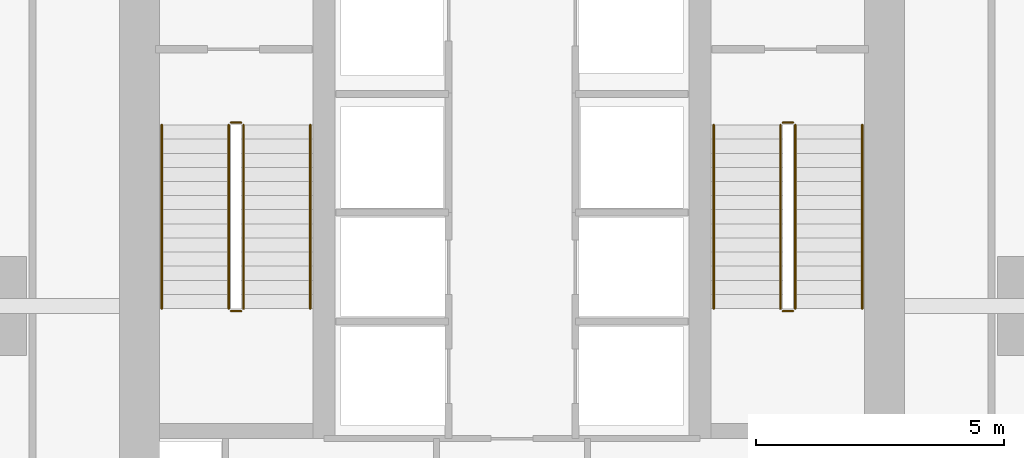
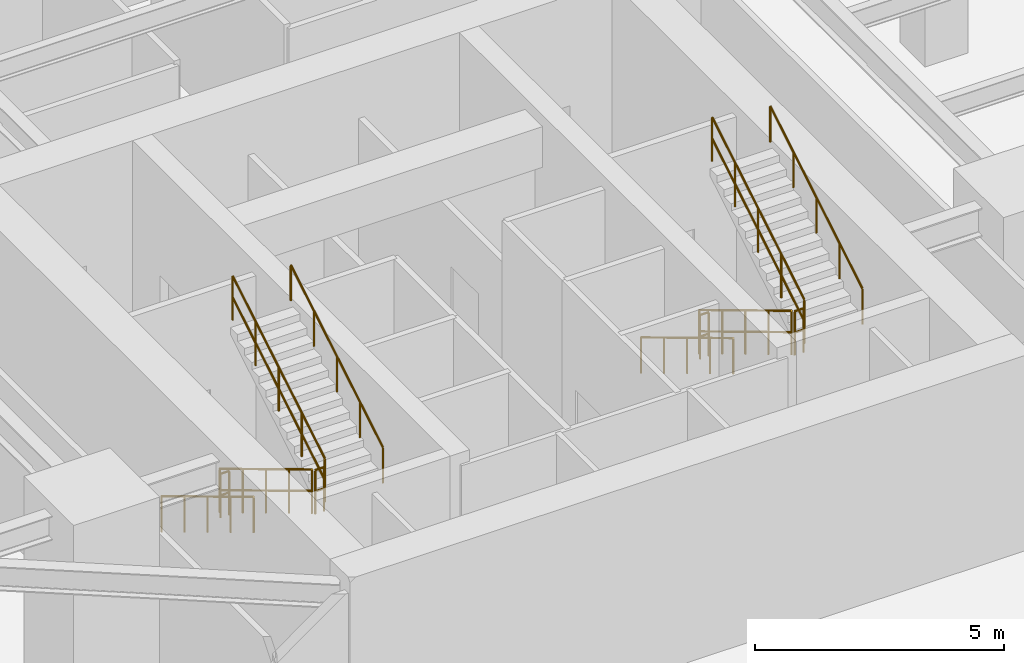
# One storey, part 23 of 24: 12 railings.
"""IFC4 building model written with IfcOpenShell, lengths in metres."""

from ifc_helpers import new_model, si_unit, direction, frame, origin, origin_2d, place, context, subcontext, project, spatial, circle, extrude, material, layer, layer_set, type_object, element, save


model = new_model("IFC4")

# Units and contexts
model_context = context("Model", 3, precision=1e-05, world=origin(), true_north=direction((0.0, 1.0)))
body_context = subcontext(model_context, "Body", "Model", "MODEL_VIEW")
ifc_project = project(units=[si_unit("LENGTHUNIT", "METRE"), si_unit("AREAUNIT", "SQUARE_METRE"), si_unit("VOLUMEUNIT", "CUBIC_METRE"), si_unit("PLANEANGLEUNIT", "RADIAN"), si_unit("MASSUNIT", "GRAM", prefix="KILO")], contexts=[model_context])

# Site, building, storey
site_placement = place(None, origin())
site = spatial("IfcSite", under=ifc_project, at=site_placement, CompositionType="ELEMENT")
building_placement = place(site_placement, origin())
building = spatial("IfcBuilding", under=site, at=building_placement, Name="Krantzveldt Concourse Tower", CompositionType="ELEMENT")
storey_placement = place(building_placement, frame((0.0, 0.0, 141.39990234375)))
storey = spatial("IfcBuildingStorey", under=building, at=storey_placement, Name="L34", CompositionType="ELEMENT", Elevation=141.39990234375)

# Railings
ifc_material = material(Name="Stainless steel 316L", Category="steel")
ifc_layer_1 = layer(ifc_material, 0.06005859375, Name="Stainless steel 316L", Category="steel")
ifc_layer_set_1 = layer_set([ifc_layer_1], Name="Stainless steel 316L (RL-GUARD-1120)")
railing_type_1 = type_object("IfcRailingType", Name="RL-GUARD-1120", PredefinedType="GUARDRAIL", material=ifc_layer_set_1)
railing_1_placement = place(storey_placement, frame((30.280029296875, 19.550048828125, 0.171630859375)))
element("IfcRailing", 1, at=railing_1_placement, inside=storey, type_object=railing_type_1, Name="L34 ST-1 stair guard 1", PredefinedType="GUARDRAIL", context=body_context, shape_type="SweptSolid", body=[
    extrude(circle(Radius=0.02392578125, at=origin_2d()), frame((0.0, 0.0, 1.076171875), z_axis=(0.0, -0.856934400257, 0.515425487977), x_axis=(1.0, 0.0, 0.0)), (0.0, 0.0, 1.0), 4.32373046875),
    extrude(circle(Radius=0.02392578125, at=origin_2d()), frame((0.0, 0.0, 0.550048828125), z_axis=(0.0, -0.856934400257, 0.515425487977), x_axis=(1.0, 0.0, 0.0)), (0.0, 0.0, 1.0), 4.32373046875),
    extrude(circle(Radius=0.02099609375, at=origin_2d()), origin(), (0.0, 0.0, 1.0), 1.052001953125),
    extrude(circle(Radius=0.02099609375, at=origin_2d()), frame((0.0, -0.92626953125, 0.55712890625)), (0.0, 0.0, 1.0), 1.052001953125),
    extrude(circle(Radius=0.02099609375, at=origin_2d()), frame((0.0, -1.8525390625, 1.1142578125)), (0.0, 0.0, 1.0), 1.052001953125),
    extrude(circle(Radius=0.02099609375, at=origin_2d()), frame((0.0, -2.77880859375, 1.67138671875)), (0.0, 0.0, 1.0), 1.052001953125),
    extrude(circle(Radius=0.02099609375, at=origin_2d()), frame((0.0, -3.705078125, 2.228515625)), (0.0, 0.0, 1.0), 1.052001953125),
])
railing_2_placement = place(storey_placement, frame((30.330078125, 15.794921875, 2.400146484375)))
element("IfcRailing", 2, at=railing_2_placement, inside=storey, type_object=railing_type_1, Name="L34 ST-1 stair guard 2", PredefinedType="GUARDRAIL", context=body_context, shape_type="SweptSolid", body=[
    extrude(circle(Radius=0.02392578125, at=origin_2d()), frame((0.0, 0.0, 1.076171875), z_axis=(1.0, 0.0, 0.0), x_axis=(0.0, 1.0, 0.0)), (0.0, 0.0, 1.0), 0.199951171875),
    extrude(circle(Radius=0.02392578125, at=origin_2d()), frame((0.0, 0.0, 0.550048828125), z_axis=(1.0, 0.0, 0.0), x_axis=(0.0, 1.0, 0.0)), (0.0, 0.0, 1.0), 0.199951171875),
    extrude(circle(Radius=0.02099609375, at=origin_2d()), origin(), (0.0, 0.0, 1.0), 1.052001953125),
    extrude(circle(Radius=0.02099609375, at=origin_2d()), frame((0.199951171875, 0.0, 0.0)), (0.0, 0.0, 1.0), 1.052001953125),
])
railing_3_placement = place(storey_placement, frame((30.580078125, 15.844970703125, 2.571533203125)))
element("IfcRailing", 3, at=railing_3_placement, inside=storey, type_object=railing_type_1, Name="L34 ST-1 stair guard 3", PredefinedType="GUARDRAIL", context=body_context, shape_type="SweptSolid", body=[
    extrude(circle(Radius=0.02392578125, at=origin_2d()), frame((0.0, 0.0, 1.076171875), z_axis=(0.0, 0.856934400257, 0.515425487977), x_axis=(-1.0, 0.0, 0.0)), (0.0, 0.0, 1.0), 4.32373046875),
    extrude(circle(Radius=0.02392578125, at=origin_2d()), frame((0.0, 0.0, 0.550048828125), z_axis=(0.0, 0.856934400257, 0.515425487977), x_axis=(-1.0, 0.0, 0.0)), (0.0, 0.0, 1.0), 4.32373046875),
    extrude(circle(Radius=0.02099609375, at=origin_2d()), origin(), (0.0, 0.0, 1.0), 1.052001953125),
    extrude(circle(Radius=0.02099609375, at=origin_2d()), frame((0.0, 0.92626953125, 0.55712890625)), (0.0, 0.0, 1.0), 1.052001953125),
    extrude(circle(Radius=0.02099609375, at=origin_2d()), frame((0.0, 1.8525390625, 1.1142578125)), (0.0, 0.0, 1.0), 1.052001953125),
    extrude(circle(Radius=0.02099609375, at=origin_2d()), frame((0.0, 2.77880859375, 1.67138671875)), (0.0, 0.0, 1.0), 1.052001953125),
    extrude(circle(Radius=0.02099609375, at=origin_2d()), frame((0.0, 3.705078125, 2.228515625)), (0.0, 0.0, 1.0), 1.052001953125),
])
railing_4_placement = place(storey_placement, frame((30.330078125, 19.60009765625, 0.0)))
element("IfcRailing", 4, at=railing_4_placement, inside=storey, type_object=railing_type_1, Name="L34 ST-1 stair guard 4", PredefinedType="GUARDRAIL", context=body_context, shape_type="SweptSolid", body=[
    extrude(circle(Radius=0.02392578125, at=origin_2d()), frame((0.0, 0.0, 1.076171875), z_axis=(1.0, 0.0, 0.0), x_axis=(0.0, 1.0, 0.0)), (0.0, 0.0, 1.0), 0.199951171875),
    extrude(circle(Radius=0.02392578125, at=origin_2d()), frame((0.0, 0.0, 0.550048828125), z_axis=(1.0, 0.0, 0.0), x_axis=(0.0, 1.0, 0.0)), (0.0, 0.0, 1.0), 0.199951171875),
    extrude(circle(Radius=0.02099609375, at=origin_2d()), origin(), (0.0, 0.0, 1.0), 1.052001953125),
    extrude(circle(Radius=0.02099609375, at=origin_2d()), frame((0.199951171875, 0.0, 0.0)), (0.0, 0.0, 1.0), 1.052001953125),
])
railing_5_placement = place(storey_placement, frame((41.419921875, 19.550048828125, 0.171630859375)))
element("IfcRailing", 5, at=railing_5_placement, inside=storey, type_object=railing_type_1, Name="L34 ST-2 stair guard 1", PredefinedType="GUARDRAIL", context=body_context, shape_type="SweptSolid", body=[
    extrude(circle(Radius=0.02392578125, at=origin_2d()), frame((0.0, 0.0, 1.076171875), z_axis=(0.0, -0.856934400257, 0.515425487977), x_axis=(1.0, 0.0, 0.0)), (0.0, 0.0, 1.0), 4.32373046875),
    extrude(circle(Radius=0.02392578125, at=origin_2d()), frame((0.0, 0.0, 0.550048828125), z_axis=(0.0, -0.856934400257, 0.515425487977), x_axis=(1.0, 0.0, 0.0)), (0.0, 0.0, 1.0), 4.32373046875),
    extrude(circle(Radius=0.02099609375, at=origin_2d()), origin(), (0.0, 0.0, 1.0), 1.052001953125),
    extrude(circle(Radius=0.02099609375, at=origin_2d()), frame((0.0, -0.92626953125, 0.55712890625)), (0.0, 0.0, 1.0), 1.052001953125),
    extrude(circle(Radius=0.02099609375, at=origin_2d()), frame((0.0, -1.8525390625, 1.1142578125)), (0.0, 0.0, 1.0), 1.052001953125),
    extrude(circle(Radius=0.02099609375, at=origin_2d()), frame((0.0, -2.77880859375, 1.67138671875)), (0.0, 0.0, 1.0), 1.052001953125),
    extrude(circle(Radius=0.02099609375, at=origin_2d()), frame((0.0, -3.705078125, 2.228515625)), (0.0, 0.0, 1.0), 1.052001953125),
])
railing_6_placement = place(storey_placement, frame((41.469970703125, 15.794921875, 2.400146484375)))
element("IfcRailing", 6, at=railing_6_placement, inside=storey, type_object=railing_type_1, Name="L34 ST-2 stair guard 2", PredefinedType="GUARDRAIL", context=body_context, shape_type="SweptSolid", body=[
    extrude(circle(Radius=0.02392578125, at=origin_2d()), frame((0.0, 0.0, 1.076171875), z_axis=(1.0, 0.0, 0.0), x_axis=(0.0, 1.0, 0.0)), (0.0, 0.0, 1.0), 0.199951171875),
    extrude(circle(Radius=0.02392578125, at=origin_2d()), frame((0.0, 0.0, 0.550048828125), z_axis=(1.0, 0.0, 0.0), x_axis=(0.0, 1.0, 0.0)), (0.0, 0.0, 1.0), 0.199951171875),
    extrude(circle(Radius=0.02099609375, at=origin_2d()), origin(), (0.0, 0.0, 1.0), 1.052001953125),
    extrude(circle(Radius=0.02099609375, at=origin_2d()), frame((0.199951171875, 0.0, 0.0)), (0.0, 0.0, 1.0), 1.052001953125),
])
railing_7_placement = place(storey_placement, frame((41.719970703125, 15.844970703125, 2.571533203125)))
element("IfcRailing", 7, at=railing_7_placement, inside=storey, type_object=railing_type_1, Name="L34 ST-2 stair guard 3", PredefinedType="GUARDRAIL", context=body_context, shape_type="SweptSolid", body=[
    extrude(circle(Radius=0.02392578125, at=origin_2d()), frame((0.0, 0.0, 1.076171875), z_axis=(0.0, 0.856934400257, 0.515425487977), x_axis=(-1.0, 0.0, 0.0)), (0.0, 0.0, 1.0), 4.32373046875),
    extrude(circle(Radius=0.02392578125, at=origin_2d()), frame((0.0, 0.0, 0.550048828125), z_axis=(0.0, 0.856934400257, 0.515425487977), x_axis=(-1.0, 0.0, 0.0)), (0.0, 0.0, 1.0), 4.32373046875),
    extrude(circle(Radius=0.02099609375, at=origin_2d()), origin(), (0.0, 0.0, 1.0), 1.052001953125),
    extrude(circle(Radius=0.02099609375, at=origin_2d()), frame((0.0, 0.92626953125, 0.55712890625)), (0.0, 0.0, 1.0), 1.052001953125),
    extrude(circle(Radius=0.02099609375, at=origin_2d()), frame((0.0, 1.8525390625, 1.1142578125)), (0.0, 0.0, 1.0), 1.052001953125),
    extrude(circle(Radius=0.02099609375, at=origin_2d()), frame((0.0, 2.77880859375, 1.67138671875)), (0.0, 0.0, 1.0), 1.052001953125),
    extrude(circle(Radius=0.02099609375, at=origin_2d()), frame((0.0, 3.705078125, 2.228515625)), (0.0, 0.0, 1.0), 1.052001953125),
])
railing_8_placement = place(storey_placement, frame((41.469970703125, 19.60009765625, 0.0)))
element("IfcRailing", 8, at=railing_8_placement, inside=storey, type_object=railing_type_1, Name="L34 ST-2 stair guard 4", PredefinedType="GUARDRAIL", context=body_context, shape_type="SweptSolid", body=[
    extrude(circle(Radius=0.02392578125, at=origin_2d()), frame((0.0, 0.0, 1.076171875), z_axis=(1.0, 0.0, 0.0), x_axis=(0.0, 1.0, 0.0)), (0.0, 0.0, 1.0), 0.199951171875),
    extrude(circle(Radius=0.02392578125, at=origin_2d()), frame((0.0, 0.0, 0.550048828125), z_axis=(1.0, 0.0, 0.0), x_axis=(0.0, 1.0, 0.0)), (0.0, 0.0, 1.0), 0.199951171875),
    extrude(circle(Radius=0.02099609375, at=origin_2d()), origin(), (0.0, 0.0, 1.0), 1.052001953125),
    extrude(circle(Radius=0.02099609375, at=origin_2d()), frame((0.199951171875, 0.0, 0.0)), (0.0, 0.0, 1.0), 1.052001953125),
])
ifc_layer_2 = layer(ifc_material, 0.050048828125, Name="Stainless steel 316L", Category="steel")
ifc_layer_set_2 = layer_set([ifc_layer_2], Name="Stainless steel 316L (RL-HANDRAIL-920)")
railing_type_2 = type_object("IfcRailingType", Name="RL-HANDRAIL-920", PredefinedType="HANDRAIL", material=ifc_layer_set_2)
railing_9_placement = place(storey_placement, frame((28.929931640625, 19.550048828125, 0.171630859375)))
element("IfcRailing", 9, at=railing_9_placement, inside=storey, type_object=railing_type_2, Name="L34 ST-1 stair handrail 1", PredefinedType="HANDRAIL", context=body_context, shape_type="SweptSolid", body=[
    extrude(circle(Radius=0.02392578125, at=origin_2d()), frame((0.0, 0.0, 0.8759765625), z_axis=(0.0, -0.856934400257, 0.515425487977), x_axis=(1.0, 0.0, 0.0)), (0.0, 0.0, 1.0), 4.32373046875),
    extrude(circle(Radius=0.02099609375, at=origin_2d()), origin(), (0.0, 0.0, 1.0), 0.851806640625),
    extrude(circle(Radius=0.02099609375, at=origin_2d()), frame((0.0, -0.92626953125, 0.55712890625)), (0.0, 0.0, 1.0), 0.851806640625),
    extrude(circle(Radius=0.02099609375, at=origin_2d()), frame((0.0, -1.8525390625, 1.1142578125)), (0.0, 0.0, 1.0), 0.851806640625),
    extrude(circle(Radius=0.02099609375, at=origin_2d()), frame((0.0, -2.77880859375, 1.67138671875)), (0.0, 0.0, 1.0), 0.851806640625),
    extrude(circle(Radius=0.02099609375, at=origin_2d()), frame((0.0, -3.705078125, 2.228515625)), (0.0, 0.0, 1.0), 0.851806640625),
])
railing_10_placement = place(storey_placement, frame((31.929931640625, 15.844970703125, 2.571533203125)))
element("IfcRailing", 10, at=railing_10_placement, inside=storey, type_object=railing_type_2, Name="L34 ST-1 stair handrail 2", PredefinedType="HANDRAIL", context=body_context, shape_type="SweptSolid", body=[
    extrude(circle(Radius=0.02392578125, at=origin_2d()), frame((0.0, 0.0, 0.8759765625), z_axis=(0.0, 0.856934400257, 0.515425487977), x_axis=(-1.0, 0.0, 0.0)), (0.0, 0.0, 1.0), 4.32373046875),
    extrude(circle(Radius=0.02099609375, at=origin_2d()), origin(), (0.0, 0.0, 1.0), 0.851806640625),
    extrude(circle(Radius=0.02099609375, at=origin_2d()), frame((0.0, 0.92626953125, 0.55712890625)), (0.0, 0.0, 1.0), 0.851806640625),
    extrude(circle(Radius=0.02099609375, at=origin_2d()), frame((0.0, 1.8525390625, 1.1142578125)), (0.0, 0.0, 1.0), 0.851806640625),
    extrude(circle(Radius=0.02099609375, at=origin_2d()), frame((0.0, 2.77880859375, 1.67138671875)), (0.0, 0.0, 1.0), 0.851806640625),
    extrude(circle(Radius=0.02099609375, at=origin_2d()), frame((0.0, 3.705078125, 2.228515625)), (0.0, 0.0, 1.0), 0.851806640625),
])
railing_11_placement = place(storey_placement, frame((40.070068359375, 19.550048828125, 0.171630859375)))
element("IfcRailing", 11, at=railing_11_placement, inside=storey, type_object=railing_type_2, Name="L34 ST-2 stair handrail 1", PredefinedType="HANDRAIL", context=body_context, shape_type="SweptSolid", body=[
    extrude(circle(Radius=0.02392578125, at=origin_2d()), frame((0.0, 0.0, 0.8759765625), z_axis=(0.0, -0.856934400257, 0.515425487977), x_axis=(1.0, 0.0, 0.0)), (0.0, 0.0, 1.0), 4.32373046875),
    extrude(circle(Radius=0.02099609375, at=origin_2d()), origin(), (0.0, 0.0, 1.0), 0.851806640625),
    extrude(circle(Radius=0.02099609375, at=origin_2d()), frame((0.0, -0.92626953125, 0.55712890625)), (0.0, 0.0, 1.0), 0.851806640625),
    extrude(circle(Radius=0.02099609375, at=origin_2d()), frame((0.0, -1.8525390625, 1.1142578125)), (0.0, 0.0, 1.0), 0.851806640625),
    extrude(circle(Radius=0.02099609375, at=origin_2d()), frame((0.0, -2.77880859375, 1.67138671875)), (0.0, 0.0, 1.0), 0.851806640625),
    extrude(circle(Radius=0.02099609375, at=origin_2d()), frame((0.0, -3.705078125, 2.228515625)), (0.0, 0.0, 1.0), 0.851806640625),
])
railing_12_placement = place(storey_placement, frame((43.070068359375, 15.844970703125, 2.571533203125)))
element("IfcRailing", 12, at=railing_12_placement, inside=storey, type_object=railing_type_2, Name="L34 ST-2 stair handrail 2", PredefinedType="HANDRAIL", context=body_context, shape_type="SweptSolid", body=[
    extrude(circle(Radius=0.02392578125, at=origin_2d()), frame((0.0, 0.0, 0.8759765625), z_axis=(0.0, 0.856934400257, 0.515425487977), x_axis=(-1.0, 0.0, 0.0)), (0.0, 0.0, 1.0), 4.32373046875),
    extrude(circle(Radius=0.02099609375, at=origin_2d()), origin(), (0.0, 0.0, 1.0), 0.851806640625),
    extrude(circle(Radius=0.02099609375, at=origin_2d()), frame((0.0, 0.92626953125, 0.55712890625)), (0.0, 0.0, 1.0), 0.851806640625),
    extrude(circle(Radius=0.02099609375, at=origin_2d()), frame((0.0, 1.8525390625, 1.1142578125)), (0.0, 0.0, 1.0), 0.851806640625),
    extrude(circle(Radius=0.02099609375, at=origin_2d()), frame((0.0, 2.77880859375, 1.67138671875)), (0.0, 0.0, 1.0), 0.851806640625),
    extrude(circle(Radius=0.02099609375, at=origin_2d()), frame((0.0, 3.705078125, 2.228515625)), (0.0, 0.0, 1.0), 0.851806640625),
])

save(model, "model.ifc")
